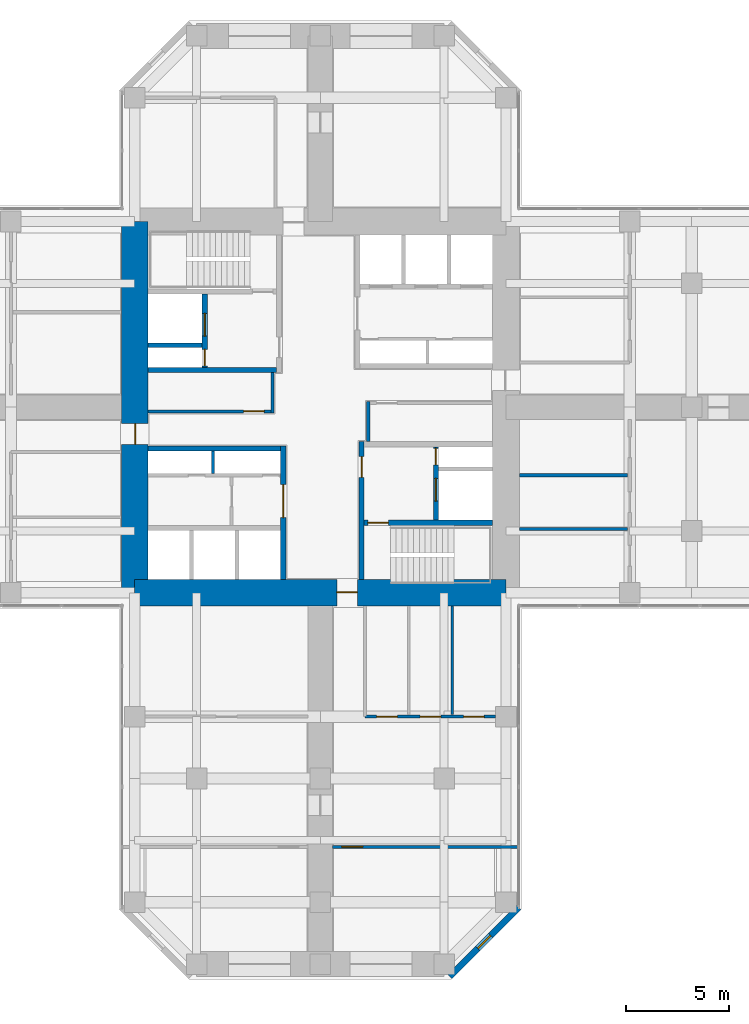
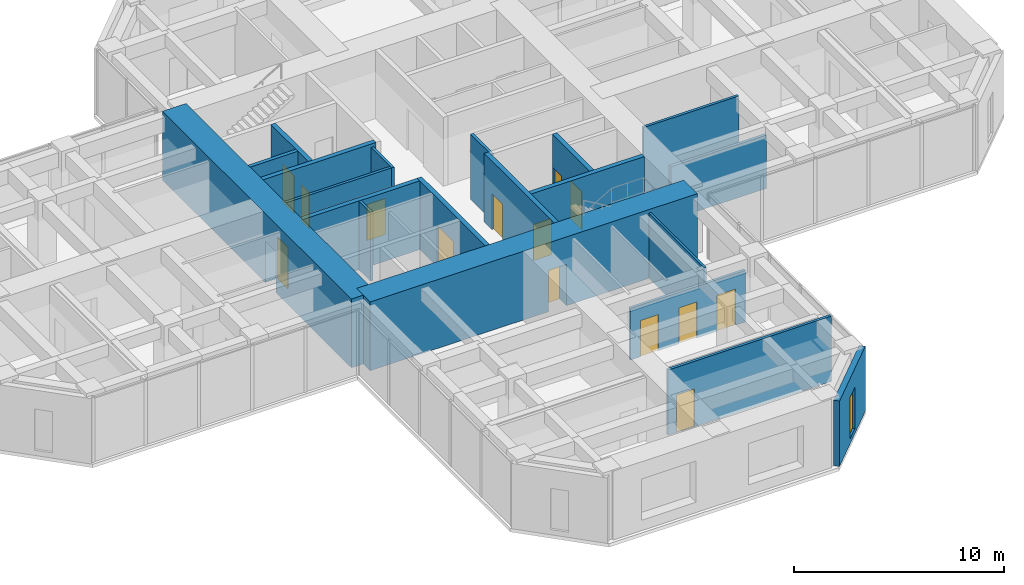
# One storey, part 9 of 13: 20 walls, 14 doors, 1 window, 15 openings.
"""IFC4 building model written with IfcOpenShell, lengths in metres."""

from ifc_helpers import new_model, si_unit, direction, frame, frame_2d, origin, place, context, subcontext, project, spatial, rectangle, hollow_rectangle, extrude, material, layer, layer_set, constituent, constituent_set, type_object, element, fill, save


model = new_model("IFC4")

# Units and contexts
model_context = context("Model", 3, precision=1e-05, world=origin(), true_north=direction((0.0, 1.0)))
body_context = subcontext(model_context, "Body", "Model", "MODEL_VIEW")
ifc_project = project(units=[si_unit("LENGTHUNIT", "METRE"), si_unit("AREAUNIT", "SQUARE_METRE"), si_unit("VOLUMEUNIT", "CUBIC_METRE"), si_unit("PLANEANGLEUNIT", "RADIAN"), si_unit("MASSUNIT", "GRAM", prefix="KILO")], contexts=[model_context])

# Site, building, storey
site_placement = place(None, origin())
site = spatial("IfcSite", under=ifc_project, at=site_placement, CompositionType="ELEMENT")
building_placement = place(site_placement, origin())
building = spatial("IfcBuilding", under=site, at=building_placement, Name="Torre Cruceta", CompositionType="ELEMENT")
storey_placement = place(building_placement, frame((0.0, 0.0, 124.5)))
storey = spatial("IfcBuildingStorey", under=building, at=storey_placement, Name="L30", CompositionType="ELEMENT", Elevation=124.5)

# Wall
ifc_material_1 = material(Name="Concrete G60 (fck 60 MPa)", Category="concrete")
ifc_layer_1 = layer(ifc_material_1, 0.25)
ifc_layer_set_1 = layer_set([ifc_layer_1], Name="Concrete G60 (fck 60 MPa)")
wall_type_1 = type_object("IfcWallType", Name="CORE INNER WALL 250 G60", PredefinedType="SHEAR", material=ifc_layer_set_1)
wall_1_placement = place(storey_placement, frame((-2.125, 1.800048828125, 0.0), z_axis=(0.0, 0.0, 1.0), x_axis=(-1.0, 0.0, 0.0)))
element("IfcWall", 1, at=wall_1_placement, inside=storey, type_object=wall_type_1, Name="CW4 L30 NW-CV", PredefinedType="SHEAR", context=body_context, shape_type="SweptSolid", body=[
    extrude(rectangle(XDim=6.22509765625, YDim=0.25, at=frame_2d((3.112548828125, 0.0))), origin(), (0.0, 0.0, 1.0), 4.0),
])

# Wall, openings, doors
wall_2_placement = place(storey_placement, frame((-5.60009765625, 1.925048828125, 0.0), z_axis=(0.0, 0.0, 1.0), x_axis=(0.0, 1.0, 0.0)))
wall_2 = element("IfcWall", 2, at=wall_2_placement, inside=storey, type_object=wall_type_1, Name="CW4 L30 NW-FU", PredefinedType="SHEAR", context=body_context, shape_type="SweptSolid", body=[
    extrude(rectangle(XDim=3.550048828125, YDim=0.25, at=frame_2d((1.77490234375, 0.0))), origin(), (0.0, 0.0, 1.0), 4.0),
])
opening_1_placement = place(wall_2_placement, frame((1.52490234375, 0.0, 0.0)))
opening_1 = element("IfcOpeningElement", 3, at=opening_1_placement, cuts=wall_2, Name="Opening LD1", PredefinedType="OPENING", context=body_context, shape_type="SweptSolid", body=[
    extrude(rectangle(XDim=1.10009765625, YDim=2.199951171875, at=frame_2d((0.550048828125, 1.10009765625))), frame((0.0, 0.135009765625, 0.0), z_axis=(0.0, -1.0, 0.0), x_axis=(1.0, 0.0, 0.0)), (0.0, 0.0, 1.0), 0.27001953125),
])
opening_2_placement = place(wall_2_placement, frame((0.074951171875, 0.0, 0.0)))
opening_2 = element("IfcOpeningElement", 4, at=opening_2_placement, cuts=wall_2, Name="Opening D5", PredefinedType="OPENING", context=body_context, shape_type="SweptSolid", body=[
    extrude(rectangle(XDim=0.800048828125, YDim=2.10009765625, at=frame_2d((0.39990234375, 1.050048828125))), frame((0.0, 0.135009765625, 0.0), z_axis=(0.0, -1.0, 0.0), x_axis=(1.0, 0.0, 0.0)), (0.0, 0.0, 1.0), 0.27001953125),
])
ifc_material_2 = material(Name="Stainless steel 1.4401", Category="steel")
door_type_1 = type_object("IfcDoorType", Name="LIFT LANDING DOOR 1100X2200", OperationType="DOUBLE_DOOR_SLIDING", PredefinedType="DOOR", material=ifc_material_2)
door_1_placement = place(opening_1_placement, origin())
door_1 = element("IfcDoor", 5, at=door_1_placement, inside=storey, type_object=door_type_1, Name="Lift landing door FL1", OperationType="DOUBLE_DOOR_SLIDING", OverallHeight=2.199951171875, OverallWidth=1.10009765625, PredefinedType="DOOR", context=body_context, shape_type="SweptSolid", body=[
    extrude(rectangle(XDim=1.10009765625, YDim=2.199951171875, at=frame_2d((0.550048828125, 1.10009765625))), frame((0.0, 0.02490234375, 0.0), z_axis=(0.0, -1.0, 0.0), x_axis=(1.0, 0.0, 0.0)), (0.0, 0.0, 1.0), 0.050048828125),
])
fill(opening_1, door_1)
ifc_material_3 = material(Name="Steel DX51D", Category="steel")
ifc_constituent_1 = constituent(ifc_material_3, Name="Leaf and frame")
ifc_material_4 = material(Name="Polyester powder coating", Category="paint")
ifc_constituent_2 = constituent(ifc_material_4, Name="Finish")
ifc_constituent_set_1 = constituent_set(constituents=[ifc_constituent_1, ifc_constituent_2], Name="Steel fire door")
door_type_2 = type_object("IfcDoorType", Name="RISER ACCESS DOOR 800X2100", OperationType="SINGLE_SWING_LEFT", PredefinedType="DOOR", material=ifc_constituent_set_1)
door_2_placement = place(opening_2_placement, origin())
door_2 = element("IfcDoor", 6, at=door_2_placement, inside=storey, type_object=door_type_2, Name="D5 L30 NW-RISER", OperationType="SINGLE_SWING_LEFT", OverallHeight=2.10009765625, OverallWidth=0.800048828125, PredefinedType="DOOR", context=body_context, shape_type="SweptSolid", body=[
    extrude(rectangle(XDim=0.800048828125, YDim=2.10009765625, at=frame_2d((0.39990234375, 1.050048828125))), frame((0.0, 0.02490234375, 0.0), z_axis=(0.0, -1.0, 0.0), x_axis=(1.0, 0.0, 0.0)), (0.0, 0.0, 1.0), 0.050048828125),
])
fill(opening_2, door_2)

# Wall, opening, door
wall_3_placement = place(storey_placement, frame((-1.800048828125, -1.875, 0.0), z_axis=(0.0, 0.0, 1.0), x_axis=(0.0, -1.0, 0.0)))
wall_3 = element("IfcWall", 7, at=wall_3_placement, inside=storey, type_object=wall_type_1, Name="CW4 L30 SW-CU", PredefinedType="SHEAR", context=body_context, shape_type="SweptSolid", body=[
    extrude(rectangle(XDim=6.47509765625, YDim=0.25, at=frame_2d((3.237548828125, 0.0))), origin(), (0.0, 0.0, 1.0), 4.0),
])
opening_3_placement = place(wall_3_placement, frame((1.875, 0.0, 0.0)))
opening_3 = element("IfcOpeningElement", 8, at=opening_3_placement, cuts=wall_3, Name="Opening D15", PredefinedType="OPENING", context=body_context, shape_type="SweptSolid", body=[
    extrude(rectangle(XDim=1.60009765625, YDim=2.39990234375, at=frame_2d((0.800048828125, 1.199951171875))), frame((0.0, 0.135009765625, 0.0), z_axis=(0.0, -1.0, 0.0), x_axis=(1.0, 0.0, 0.0)), (0.0, 0.0, 1.0), 0.27001953125),
])
ifc_material_5 = material(Name="Steel DX51D", Category="steel")
ifc_constituent_3 = constituent(ifc_material_5, Name="Leaf and frame")
ifc_material_6 = material(Name="Polyester powder coating", Category="paint")
ifc_constituent_4 = constituent(ifc_material_6, Name="Finish")
ifc_constituent_set_2 = constituent_set(constituents=[ifc_constituent_3, ifc_constituent_4], Name="Steel fire door")
door_type_3 = type_object("IfcDoorType", Name="CORE ROOM DOUBLE DOOR 1600X2400", OperationType="DOUBLE_DOOR_SINGLE_SWING", PredefinedType="DOOR", material=ifc_constituent_set_2)
door_3_placement = place(opening_3_placement, frame((1.60009765625, 0.0, 0.0), z_axis=(0.0, 0.0, 1.0), x_axis=(-1.0, 0.0, 0.0)))
door_3 = element("IfcDoor", 9, at=door_3_placement, inside=storey, type_object=door_type_3, Name="D15 L30 SW-LOBBY", OperationType="DOUBLE_DOOR_SINGLE_SWING", OverallHeight=2.39990234375, OverallWidth=1.60009765625, PredefinedType="DOOR", context=body_context, shape_type="SweptSolid", body=[
    extrude(rectangle(XDim=1.60009765625, YDim=2.39990234375, at=frame_2d((0.800048828125, 1.199951171875))), frame((0.0, 0.025146484375, 0.0), z_axis=(0.0, -1.0, 0.0), x_axis=(1.0, 0.0, 0.0)), (0.0, 0.0, 1.0), 0.050048828125),
])
fill(opening_3, door_3)

# Wall
wall_4_placement = place(storey_placement, frame((-1.925048828125, -2.0, 0.0), z_axis=(0.0, 0.0, 1.0), x_axis=(-1.0, 0.0, 0.0)))
element("IfcWall", 10, at=wall_4_placement, inside=storey, type_object=wall_type_1, Name="CW4 L30 SW-CV", PredefinedType="SHEAR", context=body_context, shape_type="SweptSolid", body=[
    extrude(rectangle(XDim=6.425048828125, YDim=0.25, at=frame_2d((3.21240234375, 0.0))), origin(), (0.0, 0.0, 1.0), 4.0),
])

# Wall, opening, door
wall_5_placement = place(storey_placement, frame((2.0, -1.675048828125, 0.0), z_axis=(0.0, 0.0, 1.0), x_axis=(0.0, -1.0, 0.0)))
wall_5 = element("IfcWall", 11, at=wall_5_placement, inside=storey, type_object=wall_type_1, Name="CW4 L30 SE-CU", PredefinedType="SHEAR", context=body_context, shape_type="SweptSolid", body=[
    extrude(rectangle(XDim=6.675048828125, YDim=0.25, at=frame_2d((3.33740234375, 0.0))), origin(), (0.0, 0.0, 1.0), 4.0),
])
opening_4_placement = place(wall_5_placement, frame((0.72509765625, 0.0, 0.0)))
opening_4 = element("IfcOpeningElement", 12, at=opening_4_placement, cuts=wall_5, Name="Opening D3", PredefinedType="OPENING", context=body_context, shape_type="SweptSolid", body=[
    extrude(rectangle(XDim=1.0, YDim=2.10009765625, at=frame_2d((0.5, 1.050048828125))), frame((0.0, 0.135009765625, 0.0), z_axis=(0.0, -1.0, 0.0), x_axis=(1.0, 0.0, 0.0)), (0.0, 0.0, 1.0), 0.27001953125),
])
ifc_material_7 = material(Name="Steel DX51D", Category="steel")
ifc_constituent_5 = constituent(ifc_material_7, Name="Leaf and frame")
ifc_material_8 = material(Name="Polyester powder coating", Category="paint")
ifc_constituent_6 = constituent(ifc_material_8, Name="Finish")
ifc_constituent_set_3 = constituent_set(constituents=[ifc_constituent_5, ifc_constituent_6], Name="Steel fire door")
door_type_4 = type_object("IfcDoorType", Name="FIRE DOOR 1000X2100", OperationType="SINGLE_SWING_LEFT", PredefinedType="DOOR", material=ifc_constituent_set_3)
door_4_placement = place(opening_4_placement, origin())
door_4 = element("IfcDoor", 13, at=door_4_placement, inside=storey, type_object=door_type_4, Name="D3 L30 SE-LOBBY", OperationType="SINGLE_SWING_LEFT", OverallHeight=2.10009765625, OverallWidth=1.0, PredefinedType="DOOR", context=body_context, shape_type="SweptSolid", body=[
    extrude(rectangle(XDim=1.0, YDim=2.10009765625, at=frame_2d((0.5, 1.050048828125))), frame((0.0, 0.02490234375, 0.0), z_axis=(0.0, -1.0, 0.0), x_axis=(1.0, 0.0, 0.0)), (0.0, 0.0, 1.0), 0.050048828125),
])
fill(opening_4, door_4)

wall_6_placement = place(storey_placement, frame((2.125, -5.60009765625, 0.0), z_axis=(0.0, 0.0, 1.0), x_axis=(1.0, 0.0, 0.0)))
wall_6 = element("IfcWall", 14, at=wall_6_placement, inside=storey, type_object=wall_type_1, Name="CW4 L30 SE-SV", PredefinedType="SHEAR", context=body_context, shape_type="SweptSolid", body=[
    extrude(rectangle(XDim=6.22509765625, YDim=0.25, at=frame_2d((3.112548828125, 0.0))), origin(), (0.0, 0.0, 1.0), 4.0),
])
opening_5_placement = place(wall_6_placement, frame((0.175048828125, 0.0, 0.0)))
opening_5 = element("IfcOpeningElement", 15, at=opening_5_placement, cuts=wall_6, Name="Opening D3", PredefinedType="OPENING", context=body_context, shape_type="SweptSolid", body=[
    extrude(rectangle(XDim=1.0, YDim=2.10009765625, at=frame_2d((0.5, 1.050048828125))), frame((0.0, 0.135009765625, 0.0), z_axis=(0.0, -1.0, 0.0), x_axis=(1.0, 0.0, 0.0)), (0.0, 0.0, 1.0), 0.27001953125),
])
door_5_placement = place(opening_5_placement, frame((1.0, 0.0, 0.0), z_axis=(0.0, 0.0, 1.0), x_axis=(-1.0, 0.0, 0.0)))
door_5 = element("IfcDoor", 16, at=door_5_placement, inside=storey, type_object=door_type_4, Name="D3 L30 SE-STAIR", OperationType="SINGLE_SWING_RIGHT", OverallHeight=2.10009765625, OverallWidth=1.0, PredefinedType="DOOR", context=body_context, shape_type="SweptSolid", body=[
    extrude(rectangle(XDim=1.0, YDim=2.10009765625, at=frame_2d((0.5, 1.050048828125))), frame((0.0, 0.025146484375, 0.0), z_axis=(0.0, -1.0, 0.0), x_axis=(1.0, 0.0, 0.0)), (0.0, 0.0, 1.0), 0.050048828125),
])
fill(opening_5, door_5)

# Wall, openings, doors
wall_7_placement = place(storey_placement, frame((5.60009765625, -1.925048828125, 0.0), z_axis=(0.0, 0.0, 1.0), x_axis=(0.0, -1.0, 0.0)))
wall_7 = element("IfcWall", 17, at=wall_7_placement, inside=storey, type_object=wall_type_1, Name="CW4 L30 SE-FU", PredefinedType="SHEAR", context=body_context, shape_type="SweptSolid", body=[
    extrude(rectangle(XDim=3.550048828125, YDim=0.25, at=frame_2d((1.77490234375, 0.0))), origin(), (0.0, 0.0, 1.0), 4.0),
])
opening_6_placement = place(wall_7_placement, frame((1.52490234375, 0.0, 0.0)))
opening_6 = element("IfcOpeningElement", 18, at=opening_6_placement, cuts=wall_7, Name="Opening LD1", PredefinedType="OPENING", context=body_context, shape_type="SweptSolid", body=[
    extrude(rectangle(XDim=1.10009765625, YDim=2.199951171875, at=frame_2d((0.550048828125, 1.10009765625))), frame((0.0, 0.135009765625, 0.0), z_axis=(0.0, -1.0, 0.0), x_axis=(1.0, 0.0, 0.0)), (0.0, 0.0, 1.0), 0.27001953125),
])
opening_7_placement = place(wall_7_placement, frame((0.074951171875, 0.0, 0.0)))
opening_7 = element("IfcOpeningElement", 19, at=opening_7_placement, cuts=wall_7, Name="Opening D5", PredefinedType="OPENING", context=body_context, shape_type="SweptSolid", body=[
    extrude(rectangle(XDim=0.800048828125, YDim=2.10009765625, at=frame_2d((0.39990234375, 1.050048828125))), frame((0.0, 0.135009765625, 0.0), z_axis=(0.0, -1.0, 0.0), x_axis=(1.0, 0.0, 0.0)), (0.0, 0.0, 1.0), 0.27001953125),
])
door_6_placement = place(opening_6_placement, origin())
door_6 = element("IfcDoor", 20, at=door_6_placement, inside=storey, type_object=door_type_1, Name="Lift landing door FL2", OperationType="DOUBLE_DOOR_SLIDING", OverallHeight=2.199951171875, OverallWidth=1.10009765625, PredefinedType="DOOR", context=body_context, shape_type="SweptSolid", body=[
    extrude(rectangle(XDim=1.10009765625, YDim=2.199951171875, at=frame_2d((0.550048828125, 1.10009765625))), frame((0.0, 0.02490234375, 0.0), z_axis=(0.0, -1.0, 0.0), x_axis=(1.0, 0.0, 0.0)), (0.0, 0.0, 1.0), 0.050048828125),
])
fill(opening_6, door_6)
door_7_placement = place(opening_7_placement, origin())
door_7 = element("IfcDoor", 21, at=door_7_placement, inside=storey, type_object=door_type_2, Name="D5 L30 SE-RISER", OperationType="SINGLE_SWING_LEFT", OverallHeight=2.10009765625, OverallWidth=0.800048828125, PredefinedType="DOOR", context=body_context, shape_type="SweptSolid", body=[
    extrude(rectangle(XDim=0.800048828125, YDim=2.10009765625, at=frame_2d((0.39990234375, 1.050048828125))), frame((0.0, 0.02490234375, 0.0), z_axis=(0.0, -1.0, 0.0), x_axis=(1.0, 0.0, 0.0)), (0.0, 0.0, 1.0), 0.050048828125),
])
fill(opening_7, door_7)

# Wall, opening, door
ifc_material_9 = material(Name="Concrete G60 (fck 60 MPa)", Category="concrete")
ifc_layer_2 = layer(ifc_material_9, 1.300048828125)
ifc_layer_set_2 = layer_set([ifc_layer_2], Name="Concrete G60 (fck 60 MPa)")
wall_type_2 = type_object("IfcWallType", Name="CORE WALL 1300 G60", PredefinedType="SHEAR", material=ifc_layer_set_2)
wall_8_placement = place(storey_placement, frame((-9.0, -9.0, 0.0), z_axis=(0.0, 0.0, 1.0), x_axis=(1.0, 0.0, 0.0)))
wall_8 = element("IfcWall", 22, at=wall_8_placement, inside=storey, type_object=wall_type_2, Name="CW1 L30 CW-S", PredefinedType="SHEAR", context=body_context, shape_type="SweptSolid", body=[
    extrude(rectangle(XDim=18.0, YDim=1.300048828125, at=frame_2d((9.0, 0.0))), origin(), (0.0, 0.0, 1.0), 4.0),
])
opening_8_placement = place(wall_8_placement, frame((9.800048828125, 0.0, 0.0)))
opening_8 = element("IfcOpeningElement", 23, at=opening_8_placement, cuts=wall_8, Name="Opening D4", PredefinedType="OPENING", context=body_context, shape_type="SweptSolid", body=[
    extrude(rectangle(XDim=1.0, YDim=2.39990234375, at=frame_2d((0.5, 1.199951171875))), frame((0.0, 0.659912109375, 0.0), z_axis=(0.0, -1.0, 0.0), x_axis=(1.0, 0.0, 0.0)), (0.0, 0.0, 1.0), 1.320068359375),
])
ifc_material_10 = material(Name="Steel DX51D", Category="steel")
ifc_constituent_7 = constituent(ifc_material_10, Name="Leaf and frame")
ifc_material_11 = material(Name="Polyester powder coating", Category="paint")
ifc_constituent_8 = constituent(ifc_material_11, Name="Finish")
ifc_constituent_set_4 = constituent_set(constituents=[ifc_constituent_7, ifc_constituent_8], Name="Steel fire door")
door_type_5 = type_object("IfcDoorType", Name="CORE ARM DOOR 1000X2400", OperationType="SINGLE_SWING_RIGHT", PredefinedType="DOOR", material=ifc_constituent_set_4)
door_8_placement = place(opening_8_placement, frame((1.0, 0.0, 0.0), z_axis=(0.0, 0.0, 1.0), x_axis=(-1.0, 0.0, 0.0)))
door_8 = element("IfcDoor", 24, at=door_8_placement, inside=storey, type_object=door_type_5, Name="D4 L30 CW-S", OperationType="SINGLE_SWING_RIGHT", OverallHeight=2.39990234375, OverallWidth=1.0, PredefinedType="DOOR", context=body_context, shape_type="SweptSolid", body=[
    extrude(rectangle(XDim=1.0, YDim=2.39990234375, at=frame_2d((0.5, 1.199951171875))), frame((0.0, -0.005126953125, 0.0), z_axis=(0.0, -1.0, 0.0), x_axis=(1.0, 0.0, 0.0)), (0.0, 0.0, 1.0), 0.050048828125),
])
fill(opening_8, door_8)

wall_9_placement = place(storey_placement, frame((-9.0, 9.0, 0.0), z_axis=(0.0, 0.0, 1.0), x_axis=(0.0, -1.0, 0.0)))
wall_9 = element("IfcWall", 25, at=wall_9_placement, inside=storey, type_object=wall_type_2, Name="CW1 L30 CW-W", PredefinedType="SHEAR", context=body_context, shape_type="SweptSolid", body=[
    extrude(rectangle(XDim=18.0, YDim=1.300048828125, at=frame_2d((9.0, 0.0))), origin(), (0.0, 0.0, 1.0), 4.0),
])
opening_9_placement = place(wall_9_placement, frame((9.800048828125, 0.0, 0.0)))
opening_9 = element("IfcOpeningElement", 26, at=opening_9_placement, cuts=wall_9, Name="Opening D4", PredefinedType="OPENING", context=body_context, shape_type="SweptSolid", body=[
    extrude(rectangle(XDim=1.0, YDim=2.39990234375, at=frame_2d((0.5, 1.199951171875))), frame((0.0, 0.659912109375, 0.0), z_axis=(0.0, -1.0, 0.0), x_axis=(1.0, 0.0, 0.0)), (0.0, 0.0, 1.0), 1.320068359375),
])
door_9_placement = place(opening_9_placement, frame((1.0, 0.0, 0.0), z_axis=(0.0, 0.0, 1.0), x_axis=(-1.0, 0.0, 0.0)))
door_9 = element("IfcDoor", 27, at=door_9_placement, inside=storey, type_object=door_type_5, Name="D4 L30 CW-W", OperationType="SINGLE_SWING_RIGHT", OverallHeight=2.39990234375, OverallWidth=1.0, PredefinedType="DOOR", context=body_context, shape_type="SweptSolid", body=[
    extrude(rectangle(XDim=1.0, YDim=2.39990234375, at=frame_2d((0.5, 1.199951171875))), frame((0.0, -0.005126953125, 0.0), z_axis=(0.0, -1.0, 0.0), x_axis=(1.0, 0.0, 0.0)), (0.0, 0.0, 1.0), 0.050048828125),
])
fill(opening_9, door_9)

# Wall, opening, window
ifc_material_12 = material(Name="Concrete G30 (fck 30 MPa)", Category="concrete")
ifc_layer_3 = layer(ifc_material_12, 0.300048828125)
ifc_layer_set_3 = layer_set([ifc_layer_3], Name="Concrete G30 (fck 30 MPa)")
wall_type_3 = type_object("IfcWallType", Name="EXPOSED CONCRETE FACADE WALL 300", PredefinedType="SOLIDWALL", material=ifc_layer_set_3)
wall_10_placement = place(storey_placement, frame((6.27685546875, -27.60009765625, 0.0), z_axis=(0.0, 0.0, 1.0), x_axis=(0.707106781187, 0.707106781187, 0.0)))
wall_10 = element("IfcWall", 28, at=wall_10_placement, inside=storey, type_object=wall_type_3, Name="EW1 facade wall L30 S chamfer 18", PredefinedType="SOLIDWALL", context=body_context, shape_type="SweptSolid", body=[
    extrude(rectangle(XDim=4.72802734375, YDim=0.300048828125, at=frame_2d((2.364013671875, 0.0))), origin(), (0.0, 0.0, 1.0), 3.800048828125),
])
opening_10_placement = place(wall_10_placement, frame((1.9140625, 0.0, 0.300048828125)))
opening_10 = element("IfcOpeningElement", 29, at=opening_10_placement, cuts=wall_10, Name="Opening WN5", PredefinedType="OPENING", context=body_context, shape_type="SweptSolid", body=[
    extrude(rectangle(XDim=0.89990234375, YDim=2.39990234375, at=frame_2d((0.449951171875, 1.199951171875))), frame((0.0, 0.159912109375, 0.0), z_axis=(0.0, -1.0, 0.0), x_axis=(1.0, 0.0, 0.0)), (0.0, 0.0, 1.0), 0.320068359375),
])
ifc_material_13 = material(Name="Aluminium window frame", Category="aluminium")
ifc_constituent_9 = constituent(ifc_material_13, Name="Frame")
ifc_material_14 = material(Name="Laminated insulating glass unit, low-iron clear", Category="glass")
ifc_constituent_10 = constituent(ifc_material_14, Name="Glazing")
ifc_constituent_set_5 = constituent_set(constituents=[ifc_constituent_9, ifc_constituent_10], Name="Aluminium window")
window_type = type_object("IfcWindowType", Name="CHAMFER SLOT WINDOW 900X2400", PartitioningType="SINGLE_PANEL", PredefinedType="WINDOW", material=ifc_constituent_set_5)
window_placement = place(opening_10_placement, origin())
window = element("IfcWindow", 30, at=window_placement, inside=storey, type_object=window_type, Name="WN5 L30 S 1", OverallHeight=2.39990234375, OverallWidth=0.89990234375, PartitioningType="SINGLE_PANEL", PredefinedType="WINDOW", context=body_context, shape_type="SweptSolid", body=[
    extrude(hollow_rectangle(XDim=0.89990234375, YDim=2.39990234375, WallThickness=0.06005859375, at=frame_2d((0.449951171875, 1.199951171875))), frame((0.0, 0.030029296875, 0.0), z_axis=(0.0, -1.0, 0.0), x_axis=(1.0, 0.0, 0.0)), (0.0, 0.0, 1.0), 0.06005859375),
    extrude(rectangle(XDim=0.77880859375, YDim=2.27880859375, at=frame_2d((0.449951171875, 1.199951171875))), frame((0.0, 0.030029296875, 0.0), z_axis=(0.0, -1.0, 0.0), x_axis=(1.0, 0.0, 0.0)), (0.0, 0.0, 1.0), 0.06005859375),
])
fill(opening_10, window)

# Walls
ifc_material_15 = material(Name="Concrete G35 (fck 35 MPa)", Category="concrete")
ifc_layer_4 = layer(ifc_material_15, 0.199951171875)
ifc_layer_set_4 = layer_set([ifc_layer_4], Name="Concrete G35 (fck 35 MPa)")
wall_type_4 = type_object("IfcWallType", Name="LIFT SHAFT WALL 200", PredefinedType="PARTITIONING", material=ifc_layer_set_4)
wall_11_placement = place(storey_placement, frame((-5.72509765625, 3.0, 0.0), z_axis=(0.0, 0.0, 1.0), x_axis=(-1.0, 0.0, 0.0)))
element("IfcWall", 31, at=wall_11_placement, inside=storey, type_object=wall_type_4, Name="SW1 L30 NW-FR", PredefinedType="PARTITIONING", context=body_context, shape_type="SweptSolid", body=[
    extrude(rectangle(XDim=2.625, YDim=0.199951171875, at=frame_2d((1.3125, 0.0))), origin(), (0.0, 0.0, 1.0), 4.0),
])
ifc_material_16 = material(Name="Plasterboard on steel studs", Category="steel")
ifc_layer_5 = layer(ifc_material_16, 0.14990234375)
ifc_layer_set_5 = layer_set([ifc_layer_5], Name="Plasterboard on steel studs")
wall_type_5 = type_object("IfcWallType", Name="PARTITION 150", PredefinedType="PARTITIONING", material=ifc_layer_set_5)
wall_12_placement = place(storey_placement, frame((2.324951171875, -1.675048828125, 0.0), z_axis=(0.0, 0.0, 1.0), x_axis=(0.0, 1.0, 0.0)))
element("IfcWall", 32, at=wall_12_placement, inside=storey, type_object=wall_type_5, Name="PT1 L30-CORE-LEGE-S-W2", PredefinedType="PARTITIONING", context=body_context, shape_type="SweptSolid", body=[
    extrude(rectangle(XDim=1.949951171875, YDim=0.14990234375, at=frame_2d((0.97509765625, 0.0))), origin(), (0.0, 0.0, 1.0), 3.800048828125),
])

# Wall, opening, door
wall_13_placement = place(storey_placement, frame((-2.324951171875, -0.199951171875, 0.0), z_axis=(0.0, 0.0, 1.0), x_axis=(-1.0, 0.0, 0.0)))
wall_13 = element("IfcWall", 33, at=wall_13_placement, inside=storey, type_object=wall_type_5, Name="PT1 L30-CORE-LEGW-N-W1", PredefinedType="PARTITIONING", context=body_context, shape_type="SweptSolid", body=[
    extrude(rectangle(XDim=6.025146484375, YDim=0.14990234375, at=frame_2d((3.0126953125, 0.0))), origin(), (0.0, 0.0, 1.0), 3.800048828125),
])
opening_11_placement = place(wall_13_placement, frame((0.39990234375, 0.0, 0.0)))
opening_11 = element("IfcOpeningElement", 34, at=opening_11_placement, cuts=wall_13, Name="Opening D3", PredefinedType="OPENING", context=body_context, shape_type="SweptSolid", body=[
    extrude(rectangle(XDim=1.0, YDim=2.10009765625, at=frame_2d((0.5, 1.050048828125))), frame((0.0, 0.0849609375, 0.0), z_axis=(0.0, -1.0, 0.0), x_axis=(1.0, 0.0, 0.0)), (0.0, 0.0, 1.0), 0.169921875),
])
door_10_placement = place(opening_11_placement, frame((1.0, 0.0, 0.0), z_axis=(0.0, 0.0, 1.0), x_axis=(-1.0, 0.0, 0.0)))
door_10 = element("IfcDoor", 35, at=door_10_placement, inside=storey, type_object=door_type_4, Name="D3 L30-CORE-LEGW-N-W1-D1", OperationType="SINGLE_SWING_RIGHT", OverallHeight=2.10009765625, OverallWidth=1.0, PredefinedType="DOOR", context=body_context, shape_type="SweptSolid", body=[
    extrude(rectangle(XDim=1.0, YDim=2.10009765625, at=frame_2d((0.5, 1.050048828125))), frame((0.0, 0.025146484375, 0.0), z_axis=(0.0, -1.0, 0.0), x_axis=(1.0, 0.0, 0.0)), (0.0, 0.0, 1.0), 0.050048828125),
])
fill(opening_11, door_10)

# Walls
wall_14_placement = place(storey_placement, frame((-2.324951171875, 1.675048828125, 0.0), z_axis=(0.0, 0.0, 1.0), x_axis=(0.0, -1.0, 0.0)))
element("IfcWall", 36, at=wall_14_placement, inside=storey, type_object=wall_type_5, Name="PT1 L30-CORE-LEGW-N-W2", PredefinedType="PARTITIONING", context=body_context, shape_type="SweptSolid", body=[
    extrude(rectangle(XDim=1.949951171875, YDim=0.14990234375, at=frame_2d((0.97509765625, 0.0))), origin(), (0.0, 0.0, 1.0), 3.800048828125),
])
wall_15_placement = place(storey_placement, frame((9.64990234375, -3.300048828125, 0.0), z_axis=(0.0, 0.0, 1.0), x_axis=(1.0, 0.0, 0.0)))
element("IfcWall", 37, at=wall_15_placement, inside=storey, type_object=wall_type_5, Name="PT1 L30-E-BDR1", PredefinedType="PARTITIONING", context=body_context, shape_type="SweptSolid", body=[
    extrude(rectangle(XDim=5.25, YDim=0.14990234375, at=frame_2d((2.625, 0.0))), origin(), (0.0, 0.0, 1.0), 3.800048828125),
])
wall_16_placement = place(storey_placement, frame((9.64990234375, -5.89990234375, 0.0), z_axis=(0.0, 0.0, 1.0), x_axis=(1.0, 0.0, 0.0)))
element("IfcWall", 38, at=wall_16_placement, inside=storey, type_object=wall_type_5, Name="PT1 L30-E-BDR2", PredefinedType="PARTITIONING", context=body_context, shape_type="SweptSolid", body=[
    extrude(rectangle(XDim=5.25, YDim=0.14990234375, at=frame_2d((2.625, 0.0))), origin(), (0.0, 0.0, 1.0), 3.10009765625),
])

# Wall, openings, doors
wall_17_placement = place(storey_placement, frame((2.175048828125, -15.0, 0.0), z_axis=(0.0, 0.0, 1.0), x_axis=(1.0, 0.0, 0.0)))
wall_17 = element("IfcWall", 39, at=wall_17_placement, inside=storey, type_object=wall_type_5, Name="PT1 L30-S-BFL", PredefinedType="PARTITIONING", context=body_context, shape_type="SweptSolid", body=[
    extrude(rectangle(XDim=6.324951171875, YDim=0.14990234375, at=frame_2d((3.16259765625, 0.0))), origin(), (0.0, 0.0, 1.0), 3.0),
])
opening_12_placement = place(wall_17_placement, frame((0.55419921875, 0.0, 0.0)))
opening_12 = element("IfcOpeningElement", 40, at=opening_12_placement, cuts=wall_17, Name="Opening D3", PredefinedType="OPENING", context=body_context, shape_type="SweptSolid", body=[
    extrude(rectangle(XDim=1.0, YDim=2.10009765625, at=frame_2d((0.5, 1.050048828125))), frame((0.0, 0.0849609375, 0.0), z_axis=(0.0, -1.0, 0.0), x_axis=(1.0, 0.0, 0.0)), (0.0, 0.0, 1.0), 0.169921875),
])
opening_13_placement = place(wall_17_placement, frame((2.66259765625, 0.0, 0.0)))
opening_13 = element("IfcOpeningElement", 41, at=opening_13_placement, cuts=wall_17, Name="Opening D3", PredefinedType="OPENING", context=body_context, shape_type="SweptSolid", body=[
    extrude(rectangle(XDim=1.0, YDim=2.10009765625, at=frame_2d((0.5, 1.050048828125))), frame((0.0, 0.0849609375, 0.0), z_axis=(0.0, -1.0, 0.0), x_axis=(1.0, 0.0, 0.0)), (0.0, 0.0, 1.0), 0.169921875),
])
opening_14_placement = place(wall_17_placement, frame((4.770751953125, 0.0, 0.0)))
opening_14 = element("IfcOpeningElement", 42, at=opening_14_placement, cuts=wall_17, Name="Opening D3", PredefinedType="OPENING", context=body_context, shape_type="SweptSolid", body=[
    extrude(rectangle(XDim=1.0, YDim=2.10009765625, at=frame_2d((0.5, 1.050048828125))), frame((0.0, 0.0849609375, 0.0), z_axis=(0.0, -1.0, 0.0), x_axis=(1.0, 0.0, 0.0)), (0.0, 0.0, 1.0), 0.169921875),
])
door_11_placement = place(opening_12_placement, origin())
door_11 = element("IfcDoor", 43, at=door_11_placement, inside=storey, type_object=door_type_4, Name="D3 L30-S-BFL-D1", OperationType="SINGLE_SWING_LEFT", OverallHeight=2.10009765625, OverallWidth=1.0, PredefinedType="DOOR", context=body_context, shape_type="SweptSolid", body=[
    extrude(rectangle(XDim=1.0, YDim=2.10009765625, at=frame_2d((0.5, 1.050048828125))), frame((0.0, 0.02490234375, 0.0), z_axis=(0.0, -1.0, 0.0), x_axis=(1.0, 0.0, 0.0)), (0.0, 0.0, 1.0), 0.050048828125),
])
fill(opening_12, door_11)
door_12_placement = place(opening_13_placement, origin())
door_12 = element("IfcDoor", 44, at=door_12_placement, inside=storey, type_object=door_type_4, Name="D3 L30-S-BFL-D2", OperationType="SINGLE_SWING_LEFT", OverallHeight=2.10009765625, OverallWidth=1.0, PredefinedType="DOOR", context=body_context, shape_type="SweptSolid", body=[
    extrude(rectangle(XDim=1.0, YDim=2.10009765625, at=frame_2d((0.5, 1.050048828125))), frame((0.0, 0.02490234375, 0.0), z_axis=(0.0, -1.0, 0.0), x_axis=(1.0, 0.0, 0.0)), (0.0, 0.0, 1.0), 0.050048828125),
])
fill(opening_13, door_12)
door_13_placement = place(opening_14_placement, origin())
door_13 = element("IfcDoor", 45, at=door_13_placement, inside=storey, type_object=door_type_4, Name="D3 L30-S-BFL-D3", OperationType="SINGLE_SWING_LEFT", OverallHeight=2.10009765625, OverallWidth=1.0, PredefinedType="DOOR", context=body_context, shape_type="SweptSolid", body=[
    extrude(rectangle(XDim=1.0, YDim=2.10009765625, at=frame_2d((0.5, 1.050048828125))), frame((0.0, 0.02490234375, 0.0), z_axis=(0.0, -1.0, 0.0), x_axis=(1.0, 0.0, 0.0)), (0.0, 0.0, 1.0), 0.050048828125),
])
fill(opening_14, door_13)

# Wall, opening, door
wall_18_placement = place(storey_placement, frame((0.60009765625, -21.320068359375, 0.0), z_axis=(0.0, 0.0, 1.0), x_axis=(1.0, 0.0, 0.0)))
wall_18 = element("IfcWall", 46, at=wall_18_placement, inside=storey, type_object=wall_type_5, Name="PT1 L30-S-TWL", PredefinedType="PARTITIONING", context=body_context, shape_type="SweptSolid", body=[
    extrude(rectangle(XDim=8.97998046875, YDim=0.14990234375, at=frame_2d((4.489990234375, 0.0))), origin(), (0.0, 0.0, 1.0), 3.800048828125),
])
opening_15_placement = place(wall_18_placement, frame((0.449951171875, 0.0, 0.0)))
opening_15 = element("IfcOpeningElement", 47, at=opening_15_placement, cuts=wall_18, Name="Opening D14", PredefinedType="OPENING", context=body_context, shape_type="SweptSolid", body=[
    extrude(rectangle(XDim=1.0, YDim=2.199951171875, at=frame_2d((0.5, 1.10009765625))), frame((0.0, 0.0849609375, 0.0), z_axis=(0.0, -1.0, 0.0), x_axis=(1.0, 0.0, 0.0)), (0.0, 0.0, 1.0), 0.169921875),
])
ifc_material_17 = material(Name="Steel DX51D", Category="steel")
ifc_constituent_11 = constituent(ifc_material_17, Name="Leaf and frame")
ifc_material_18 = material(Name="Polyester powder coating", Category="paint")
ifc_constituent_12 = constituent(ifc_material_18, Name="Finish")
ifc_material_19 = material(Name="Fire-resisting glass", Category="glass")
ifc_constituent_13 = constituent(ifc_material_19, Name="Vision panel")
ifc_constituent_set_6 = constituent_set(constituents=[ifc_constituent_11, ifc_constituent_12, ifc_constituent_13], Name="Steel fire door with vision panel")
door_type_6 = type_object("IfcDoorType", Name="FIRE DOOR VISION PANEL 1000X2200", OperationType="SINGLE_SWING_RIGHT", PredefinedType="DOOR", material=ifc_constituent_set_6)
door_14_placement = place(opening_15_placement, frame((1.0, 0.0, 0.0), z_axis=(0.0, 0.0, 1.0), x_axis=(-1.0, 0.0, 0.0)))
door_14 = element("IfcDoor", 48, at=door_14_placement, inside=storey, type_object=door_type_6, Name="D14 L30-S-TWL-D1", OperationType="SINGLE_SWING_RIGHT", OverallHeight=2.199951171875, OverallWidth=1.0, PredefinedType="DOOR", context=body_context, shape_type="SweptSolid", body=[
    extrude(rectangle(XDim=1.0, YDim=2.199951171875, at=frame_2d((0.5, 1.10009765625))), frame((0.0, 0.025146484375, 0.0), z_axis=(0.0, -1.0, 0.0), x_axis=(1.0, 0.0, 0.0)), (0.0, 0.0, 1.0), 0.050048828125),
])
fill(opening_15, door_14)

# Walls
ifc_material_20 = material(Name="Concrete block masonry", Category="masonry")
ifc_layer_6 = layer(ifc_material_20, 0.14990234375)
ifc_layer_set_6 = layer_set([ifc_layer_6], Name="Concrete block masonry")
wall_type_6 = type_object("IfcWallType", Name="RISER WALL 150", PredefinedType="PARTITIONING", material=ifc_layer_set_6)
wall_19_placement = place(storey_placement, frame((-5.199951171875, -2.125, 0.0), z_axis=(0.0, 0.0, 1.0), x_axis=(0.0, -1.0, 0.0)))
element("IfcWall", 49, at=wall_19_placement, inside=storey, type_object=wall_type_6, Name="SW7 L30 SW-RU", PredefinedType="PARTITIONING", context=body_context, shape_type="SweptSolid", body=[
    extrude(rectangle(XDim=1.10009765625, YDim=0.14990234375, at=frame_2d((0.550048828125, 0.0))), origin(), (0.0, 0.0, 1.0), 4.0),
])
ifc_material_21 = material(Name="Plasterboard on steel studs", Category="steel")
ifc_layer_7 = layer(ifc_material_21, 0.1201171875)
ifc_layer_set_7 = layer_set([ifc_layer_7], Name="Plasterboard on steel studs")
wall_type_7 = type_object("IfcWallType", Name="WC PARTITION 120", PredefinedType="PLUMBINGWALL", material=ifc_layer_set_7)
wall_20_placement = place(storey_placement, frame((6.3916015625, -9.64990234375, 0.0), z_axis=(0.0, 0.0, 1.0), x_axis=(0.0, -1.0, 0.0)))
element("IfcWall", 50, at=wall_20_placement, inside=storey, type_object=wall_type_7, Name="PT5 L30-S-BDL2", PredefinedType="PLUMBINGWALL", context=body_context, shape_type="SweptSolid", body=[
    extrude(rectangle(XDim=5.25, YDim=0.1201171875, at=frame_2d((2.625, 0.0))), origin(), (0.0, 0.0, 1.0), 3.800048828125),
])

save(model, "model.ifc")
